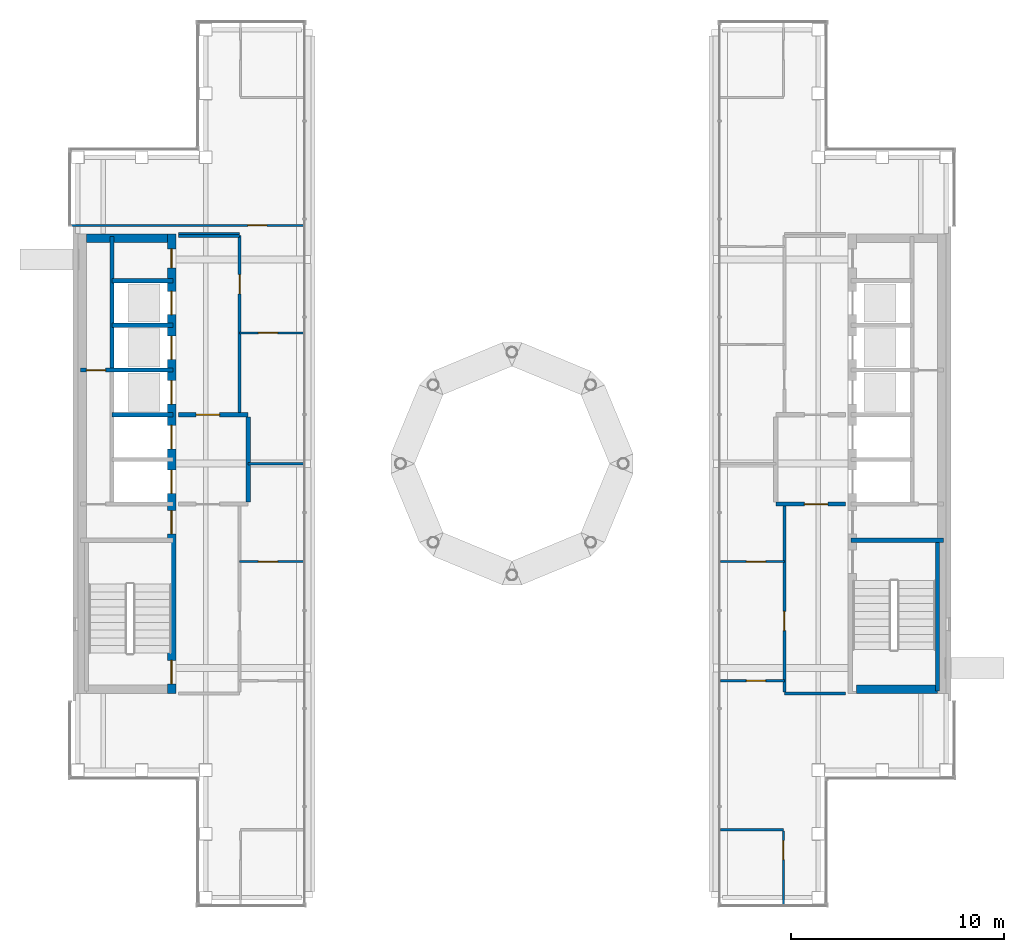
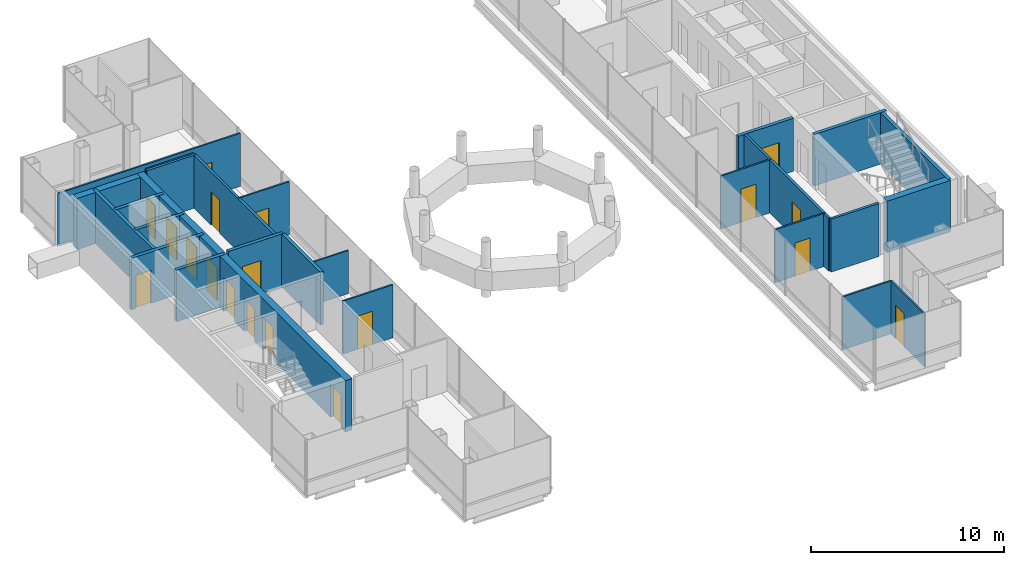
# One storey, part 17 of 21: 26 walls, 19 doors, 19 openings.
"""IFC4 building model written with IfcOpenShell, lengths in metres."""

from ifc_helpers import new_model, si_unit, direction, frame, frame_2d, origin, place, context, subcontext, project, spatial, rectangle, extrude, material, layer, layer_set, type_object, element, fill, save


model = new_model("IFC4")

# Units and contexts
model_context = context("Model", 3, precision=1e-05, world=origin(), true_north=direction((0.0, 1.0)))
body_context = subcontext(model_context, "Body", "Model", "MODEL_VIEW")
ifc_project = project(units=[si_unit("LENGTHUNIT", "METRE"), si_unit("AREAUNIT", "SQUARE_METRE"), si_unit("VOLUMEUNIT", "CUBIC_METRE"), si_unit("PLANEANGLEUNIT", "RADIAN"), si_unit("MASSUNIT", "GRAM", prefix="KILO")], contexts=[model_context])

# Site, building, storey
site_placement = place(None, origin())
site = spatial("IfcSite", under=ifc_project, at=site_placement, CompositionType="ELEMENT")
building_placement = place(site_placement, origin())
building = spatial("IfcBuilding", under=site, at=building_placement, Name="Cobrizo Arcos Hotel Tower", CompositionType="ELEMENT")
storey_placement = place(building_placement, frame((0.0, 0.0, 279.5)))
storey = spatial("IfcBuildingStorey", under=building, at=storey_placement, Name="L74", CompositionType="ELEMENT", Elevation=279.5)

# Walls
ifc_material_1 = material(Name="Gypsum board partition")
ifc_layer_1 = layer(ifc_material_1, 0.14990234375)
ifc_layer_set_1 = layer_set([ifc_layer_1], Name="Corridor wall EI 60 150")
wall_type_1 = type_object("IfcWallType", Name="Corridor wall EI 60 150", PredefinedType="PARTITIONING", material=ifc_layer_set_1)
for number, where, z_axis, x_axis, name in (
    (1, (12.800048828125, -10.800048828125, 0.0), (0.0, 0.0, 1.0), (1.0, 0.0, 0.0), "Partition 004"),
    (2, (-15.679931640625, 10.699951171875, 0.0), (0.0, 0.0, 1.0), (1.0, 0.0, 0.0), "Partition 032"),
    (3, (-15.679931640625, 10.800048828125, 0.0), (0.0, 0.0, 1.0), (1.0, 0.0, 0.0), "Partition 034"),
):
    element("IfcWall", number, at=place(storey_placement, frame(where, z_axis=z_axis, x_axis=x_axis)), inside=storey, type_object=wall_type_1, Name=name, PredefinedType="PARTITIONING", context=body_context, shape_type="SweptSolid", body=[
        extrude(rectangle(XDim=2.8798828125, YDim=0.14990234375, at=frame_2d((1.43994140625, 0.0))), origin(), (0.0, 0.0, 1.0), 3.35009765625),
    ])

# Wall, opening, door
wall_1_placement = place(storey_placement, frame((-12.800048828125, 2.39990234375, 0.0), z_axis=(0.0, 0.0, 1.0), x_axis=(0.0, 1.0, 0.0)))
wall_1 = element("IfcWall", 4, at=wall_1_placement, inside=storey, type_object=wall_type_1, Name="Partition 043", PredefinedType="PARTITIONING", context=body_context, shape_type="SweptSolid", body=[
    extrude(rectangle(XDim=8.3251953125, YDim=0.14990234375, at=frame_2d((4.16259765625, 0.0))), origin(), (0.0, 0.0, 1.0), 3.35009765625),
])
opening_1_placement = place(wall_1_placement, frame((5.5849609375, 0.0, 0.0)))
opening_1 = element("IfcOpeningElement", 5, at=opening_1_placement, cuts=wall_1, Name="Opening RD-13", PredefinedType="OPENING", context=body_context, shape_type="SweptSolid", body=[
    extrude(rectangle(XDim=0.89990234375, YDim=2.10009765625, at=frame_2d((0.449951171875, 1.050048828125))), frame((0.0, 0.0869140625, 0.0), z_axis=(0.0, -1.0, 0.0), x_axis=(1.0, 0.0, 0.0)), (0.0, 0.0, 1.0), 0.173828125),
])
ifc_material_2 = material(Name="Timber door leaf", Category="wood")
door_type_1 = type_object("IfcDoorType", Name="Room door FD30 900x2100", OperationType="SINGLE_SWING_LEFT", PredefinedType="DOOR", material=ifc_material_2)
door_1_placement = place(opening_1_placement, origin())
door_1 = element("IfcDoor", 6, at=door_1_placement, inside=storey, type_object=door_type_1, Name="Door RD-13", OperationType="SINGLE_SWING_LEFT", OverallHeight=2.10009765625, OverallWidth=0.89990234375, PredefinedType="DOOR", context=body_context, shape_type="SweptSolid", body=[
    extrude(rectangle(XDim=0.89990234375, YDim=2.10009765625, at=frame_2d((0.449951171875, 1.050048828125))), frame((0.0, 0.02490234375, 0.0), z_axis=(0.0, -1.0, 0.0), x_axis=(1.0, 0.0, 0.0)), (0.0, 0.0, 1.0), 0.050048828125),
])
fill(opening_1, door_1)

wall_2_placement = place(storey_placement, frame((12.800048828125, -10.72509765625, 0.0), z_axis=(0.0, 0.0, 1.0), x_axis=(0.0, 1.0, 0.0)))
wall_2 = element("IfcWall", 7, at=wall_2_placement, inside=storey, type_object=wall_type_1, Name="Partition 050", PredefinedType="PARTITIONING", context=body_context, shape_type="SweptSolid", body=[
    extrude(rectangle(XDim=8.72509765625, YDim=0.14990234375, at=frame_2d((4.362548828125, 0.0))), origin(), (0.0, 0.0, 1.0), 3.35009765625),
])
opening_2_placement = place(wall_2_placement, frame((2.8798828125, 0.0, 0.0)))
opening_2 = element("IfcOpeningElement", 8, at=opening_2_placement, cuts=wall_2, Name="Opening RD-10", PredefinedType="OPENING", context=body_context, shape_type="SweptSolid", body=[
    extrude(rectangle(XDim=0.89990234375, YDim=2.10009765625, at=frame_2d((0.449951171875, 1.050048828125))), frame((0.0, 0.0869140625, 0.0), z_axis=(0.0, -1.0, 0.0), x_axis=(1.0, 0.0, 0.0)), (0.0, 0.0, 1.0), 0.173828125),
])
door_2_placement = place(opening_2_placement, origin())
door_2 = element("IfcDoor", 9, at=door_2_placement, inside=storey, type_object=door_type_1, Name="Door RD-10", OperationType="SINGLE_SWING_RIGHT", OverallHeight=2.10009765625, OverallWidth=0.89990234375, PredefinedType="DOOR", context=body_context, shape_type="SweptSolid", body=[
    extrude(rectangle(XDim=0.89990234375, YDim=2.10009765625, at=frame_2d((0.449951171875, 1.050048828125))), frame((0.0, 0.02490234375, 0.0), z_axis=(0.0, -1.0, 0.0), x_axis=(1.0, 0.0, 0.0)), (0.0, 0.0, 1.0), 0.050048828125),
])
fill(opening_2, door_2)

# Wall
ifc_layer_2 = layer(ifc_material_1, 0.10009765625)
ifc_layer_set_2 = layer_set([ifc_layer_2], Name="Partition EI 30 100")
wall_type_2 = type_object("IfcWallType", Name="Partition EI 30 100", PredefinedType="PARTITIONING", material=ifc_layer_set_2)
wall_3_placement = place(storey_placement, frame((9.798095703125, -17.199951171875, 0.0), z_axis=(0.0, 0.0, 1.0), x_axis=(1.0, 0.0, 0.0)))
element("IfcWall", 10, at=wall_3_placement, inside=storey, type_object=wall_type_2, Name="Partition 002", PredefinedType="PARTITIONING", context=body_context, shape_type="SweptSolid", body=[
    extrude(rectangle(XDim=2.951904296875, YDim=0.10009765625, at=frame_2d((1.47607421875, 0.0))), origin(), (0.0, 0.0, 1.0), 3.35009765625),
])

# Wall, opening, door
wall_4_placement = place(storey_placement, frame((9.798095703125, -10.199951171875, 0.0), z_axis=(0.0, 0.0, 1.0), x_axis=(1.0, 0.0, 0.0)))
wall_4 = element("IfcWall", 11, at=wall_4_placement, inside=storey, type_object=wall_type_2, Name="Partition 006", PredefinedType="PARTITIONING", context=body_context, shape_type="SweptSolid", body=[
    extrude(rectangle(XDim=3.001953125, YDim=0.10009765625, at=frame_2d((1.5009765625, 0.0))), origin(), (0.0, 0.0, 1.0), 3.35009765625),
])
opening_3_placement = place(wall_4_placement, frame((1.216064453125, 0.0, 0.0)))
opening_3 = element("IfcOpeningElement", 12, at=opening_3_placement, cuts=wall_4, Name="Opening RD-12", PredefinedType="OPENING", context=body_context, shape_type="SweptSolid", body=[
    extrude(rectangle(XDim=0.89990234375, YDim=2.10009765625, at=frame_2d((0.449951171875, 1.050048828125))), frame((0.0, 0.06201171875, 0.0), z_axis=(0.0, -1.0, 0.0), x_axis=(1.0, 0.0, 0.0)), (0.0, 0.0, 1.0), 0.1240234375),
])
door_3_placement = place(opening_3_placement, origin())
door_3 = element("IfcDoor", 13, at=door_3_placement, inside=storey, type_object=door_type_1, Name="Door RD-12", OperationType="SINGLE_SWING_LEFT", OverallHeight=2.10009765625, OverallWidth=0.89990234375, PredefinedType="DOOR", context=body_context, shape_type="SweptSolid", body=[
    extrude(rectangle(XDim=0.89990234375, YDim=2.10009765625, at=frame_2d((0.449951171875, 1.050048828125))), frame((0.0, 0.02490234375, 0.0), z_axis=(0.0, -1.0, 0.0), x_axis=(1.0, 0.0, 0.0)), (0.0, 0.0, 1.0), 0.050048828125),
])
fill(opening_3, door_3)

wall_5_placement = place(storey_placement, frame((-12.800048828125, -4.60009765625, 0.0), z_axis=(0.0, 0.0, 1.0), x_axis=(1.0, 0.0, 0.0)))
wall_5 = element("IfcWall", 14, at=wall_5_placement, inside=storey, type_object=wall_type_2, Name="Partition 007", PredefinedType="PARTITIONING", context=body_context, shape_type="SweptSolid", body=[
    extrude(rectangle(XDim=3.001953125, YDim=0.10009765625, at=frame_2d((1.5009765625, 0.0))), origin(), (0.0, 0.0, 1.0), 3.35009765625),
])
opening_4_placement = place(wall_5_placement, frame((0.885986328125, 0.0, 0.0)))
opening_4 = element("IfcOpeningElement", 15, at=opening_4_placement, cuts=wall_5, Name="Opening RD-17", PredefinedType="OPENING", context=body_context, shape_type="SweptSolid", body=[
    extrude(rectangle(XDim=0.89990234375, YDim=2.10009765625, at=frame_2d((0.449951171875, 1.050048828125))), frame((0.0, 0.06201171875, 0.0), z_axis=(0.0, -1.0, 0.0), x_axis=(1.0, 0.0, 0.0)), (0.0, 0.0, 1.0), 0.1240234375),
])
door_4_placement = place(opening_4_placement, origin())
door_4 = element("IfcDoor", 16, at=door_4_placement, inside=storey, type_object=door_type_1, Name="Door RD-17", OperationType="SINGLE_SWING_RIGHT", OverallHeight=2.10009765625, OverallWidth=0.89990234375, PredefinedType="DOOR", context=body_context, shape_type="SweptSolid", body=[
    extrude(rectangle(XDim=0.89990234375, YDim=2.10009765625, at=frame_2d((0.449951171875, 1.050048828125))), frame((0.0, 0.02490234375, 0.0), z_axis=(0.0, -1.0, 0.0), x_axis=(1.0, 0.0, 0.0)), (0.0, 0.0, 1.0), 0.050048828125),
])
fill(opening_4, door_4)

wall_6_placement = place(storey_placement, frame((9.798095703125, -4.60009765625, 0.0), z_axis=(0.0, 0.0, 1.0), x_axis=(1.0, 0.0, 0.0)))
wall_6 = element("IfcWall", 17, at=wall_6_placement, inside=storey, type_object=wall_type_2, Name="Partition 008", PredefinedType="PARTITIONING", context=body_context, shape_type="SweptSolid", body=[
    extrude(rectangle(XDim=3.001953125, YDim=0.10009765625, at=frame_2d((1.5009765625, 0.0))), origin(), (0.0, 0.0, 1.0), 3.35009765625),
])
opening_5_placement = place(wall_6_placement, frame((1.216064453125, 0.0, 0.0)))
opening_5 = element("IfcOpeningElement", 18, at=opening_5_placement, cuts=wall_6, Name="Opening RD-11", PredefinedType="OPENING", context=body_context, shape_type="SweptSolid", body=[
    extrude(rectangle(XDim=0.89990234375, YDim=2.10009765625, at=frame_2d((0.449951171875, 1.050048828125))), frame((0.0, 0.06201171875, 0.0), z_axis=(0.0, -1.0, 0.0), x_axis=(1.0, 0.0, 0.0)), (0.0, 0.0, 1.0), 0.1240234375),
])
door_5_placement = place(opening_5_placement, origin())
door_5 = element("IfcDoor", 19, at=door_5_placement, inside=storey, type_object=door_type_1, Name="Door RD-11", OperationType="SINGLE_SWING_LEFT", OverallHeight=2.10009765625, OverallWidth=0.89990234375, PredefinedType="DOOR", context=body_context, shape_type="SweptSolid", body=[
    extrude(rectangle(XDim=0.89990234375, YDim=2.10009765625, at=frame_2d((0.449951171875, 1.050048828125))), frame((0.0, 0.02490234375, 0.0), z_axis=(0.0, -1.0, 0.0), x_axis=(1.0, 0.0, 0.0)), (0.0, 0.0, 1.0), 0.050048828125),
])
fill(opening_5, door_5)

# Wall
wall_7_placement = place(storey_placement, frame((-12.39990234375, 0.0, 0.0), z_axis=(0.0, 0.0, 1.0), x_axis=(1.0, 0.0, 0.0)))
element("IfcWall", 20, at=wall_7_placement, inside=storey, type_object=wall_type_2, Name="Partition 015", PredefinedType="PARTITIONING", context=body_context, shape_type="SweptSolid", body=[
    extrude(rectangle(XDim=2.601806640625, YDim=0.10009765625, at=frame_2d((1.30078125, 0.0))), origin(), (0.0, 0.0, 1.0), 2.72802734375),
])

# Wall, opening, door
wall_8_placement = place(storey_placement, frame((-12.800048828125, 6.14990234375, 0.0), z_axis=(0.0, 0.0, 1.0), x_axis=(1.0, 0.0, 0.0)))
wall_8 = element("IfcWall", 21, at=wall_8_placement, inside=storey, type_object=wall_type_2, Name="Partition 026", PredefinedType="PARTITIONING", context=body_context, shape_type="SweptSolid", body=[
    extrude(rectangle(XDim=3.001953125, YDim=0.10009765625, at=frame_2d((1.5009765625, 0.0))), origin(), (0.0, 0.0, 1.0), 3.35009765625),
])
opening_6_placement = place(wall_8_placement, frame((0.885986328125, 0.0, 0.0)))
opening_6 = element("IfcOpeningElement", 22, at=opening_6_placement, cuts=wall_8, Name="Opening RD-14", PredefinedType="OPENING", context=body_context, shape_type="SweptSolid", body=[
    extrude(rectangle(XDim=0.89990234375, YDim=2.10009765625, at=frame_2d((0.449951171875, 1.050048828125))), frame((0.0, 0.06201171875, 0.0), z_axis=(0.0, -1.0, 0.0), x_axis=(1.0, 0.0, 0.0)), (0.0, 0.0, 1.0), 0.1240234375),
])
door_6_placement = place(opening_6_placement, origin())
door_6 = element("IfcDoor", 23, at=door_6_placement, inside=storey, type_object=door_type_1, Name="Door RD-14", OperationType="SINGLE_SWING_RIGHT", OverallHeight=2.10009765625, OverallWidth=0.89990234375, PredefinedType="DOOR", context=body_context, shape_type="SweptSolid", body=[
    extrude(rectangle(XDim=0.89990234375, YDim=2.10009765625, at=frame_2d((0.449951171875, 1.050048828125))), frame((0.0, 0.02490234375, 0.0), z_axis=(0.0, -1.0, 0.0), x_axis=(1.0, 0.0, 0.0)), (0.0, 0.0, 1.0), 0.050048828125),
])
fill(opening_6, door_6)

wall_9_placement = place(storey_placement, frame((-20.72998046875, 11.199951171875, 0.0), z_axis=(0.0, 0.0, 1.0), x_axis=(1.0, 0.0, 0.0)))
wall_9 = element("IfcWall", 24, at=wall_9_placement, inside=storey, type_object=wall_type_2, Name="Partition 036", PredefinedType="PARTITIONING", context=body_context, shape_type="SweptSolid", body=[
    extrude(rectangle(XDim=10.931884765625, YDim=0.10009765625, at=frame_2d((5.4658203125, 0.0))), origin(), (0.0, 0.0, 1.0), 3.35009765625),
])
opening_7_placement = place(wall_9_placement, frame((8.31591796875, 0.0, 0.0)))
opening_7 = element("IfcOpeningElement", 25, at=opening_7_placement, cuts=wall_9, Name="Opening RD-15", PredefinedType="OPENING", context=body_context, shape_type="SweptSolid", body=[
    extrude(rectangle(XDim=0.89990234375, YDim=2.10009765625, at=frame_2d((0.449951171875, 1.050048828125))), frame((0.0, 0.06201171875, 0.0), z_axis=(0.0, -1.0, 0.0), x_axis=(1.0, 0.0, 0.0)), (0.0, 0.0, 1.0), 0.1240234375),
])
door_7_placement = place(opening_7_placement, origin())
door_7 = element("IfcDoor", 26, at=door_7_placement, inside=storey, type_object=door_type_1, Name="Door RD-15", OperationType="SINGLE_SWING_RIGHT", OverallHeight=2.10009765625, OverallWidth=0.89990234375, PredefinedType="DOOR", context=body_context, shape_type="SweptSolid", body=[
    extrude(rectangle(XDim=0.89990234375, YDim=2.10009765625, at=frame_2d((0.449951171875, 1.050048828125))), frame((0.0, 0.02490234375, 0.0), z_axis=(0.0, -1.0, 0.0), x_axis=(1.0, 0.0, 0.0)), (0.0, 0.0, 1.0), 0.050048828125),
])
fill(opening_7, door_7)

wall_10_placement = place(storey_placement, frame((12.75, -20.72998046875, 0.0), z_axis=(0.0, 0.0, 1.0), x_axis=(0.0, 1.0, 0.0)))
wall_10 = element("IfcWall", 27, at=wall_10_placement, inside=storey, type_object=wall_type_2, Name="Partition 048", PredefinedType="PARTITIONING", context=body_context, shape_type="SweptSolid", body=[
    extrude(rectangle(XDim=3.47998046875, YDim=0.10009765625, at=frame_2d((1.739990234375, 0.0))), origin(), (0.0, 0.0, 1.0), 3.35009765625),
])
opening_8_placement = place(wall_10_placement, frame((2.1201171875, 0.0, 0.0)))
opening_8 = element("IfcOpeningElement", 28, at=opening_8_placement, cuts=wall_10, Name="Opening ED-02", PredefinedType="OPENING", context=body_context, shape_type="SweptSolid", body=[
    extrude(rectangle(XDim=0.89990234375, YDim=2.10009765625, at=frame_2d((0.449951171875, 1.050048828125))), frame((0.0, 0.06201171875, 0.0), z_axis=(0.0, -1.0, 0.0), x_axis=(1.0, 0.0, 0.0)), (0.0, 0.0, 1.0), 0.1240234375),
])
door_type_2 = type_object("IfcDoorType", Name="En-suite door 900x2100", OperationType="SINGLE_SWING_LEFT", PredefinedType="DOOR", material=ifc_material_2)
door_8_placement = place(opening_8_placement, origin())
door_8 = element("IfcDoor", 29, at=door_8_placement, inside=storey, type_object=door_type_2, Name="Door ED-02", OperationType="SINGLE_SWING_RIGHT", OverallHeight=2.10009765625, OverallWidth=0.89990234375, PredefinedType="DOOR", context=body_context, shape_type="SweptSolid", body=[
    extrude(rectangle(XDim=0.89990234375, YDim=2.10009765625, at=frame_2d((0.449951171875, 1.050048828125))), frame((0.0, 0.02490234375, 0.0), z_axis=(0.0, -1.0, 0.0), x_axis=(1.0, 0.0, 0.0)), (0.0, 0.0, 1.0), 0.050048828125),
])
fill(opening_8, door_8)

# Wall
ifc_material_3 = material(Name="Concrete f'c 40 MPa", Category="concrete")
ifc_layer_3 = layer(ifc_material_3, 0.39990234375)
ifc_layer_set_3 = layer_set([ifc_layer_3], Name="RC core wall 400 f'c 40")
wall_type_3 = type_object("IfcWallType", Name="RC core wall 400 f'c 40", PredefinedType="SHEAR", material=ifc_layer_set_3)
wall_11_placement = place(storey_placement, frame((16.199951171875, -10.60009765625, 0.0), z_axis=(0.0, 0.0, 1.0), x_axis=(1.0, 0.0, 0.0)))
element("IfcWall", 30, at=wall_11_placement, inside=storey, type_object=wall_type_3, Name="Core wall CW4, east core, south end, L74", PredefinedType="SHEAR", context=body_context, shape_type="SweptSolid", body=[
    extrude(rectangle(XDim=3.800048828125, YDim=0.39990234375, at=frame_2d((1.89990234375, 0.0))), origin(), (0.0, 0.0, 1.0), 3.25),
])

# Wall, openings, doors
wall_12_placement = place(storey_placement, frame((-16.0, -10.800048828125, 0.0), z_axis=(0.0, 0.0, 1.0), x_axis=(0.0, 1.0, 0.0)))
wall_12 = element("IfcWall", 31, at=wall_12_placement, inside=storey, type_object=wall_type_3, Name="Core wall CW4, west core, inner face, L74", PredefinedType="SHEAR", context=body_context, shape_type="SweptSolid", body=[
    extrude(rectangle(XDim=21.60009765625, YDim=0.39990234375, at=frame_2d((10.800048828125, 0.0))), origin(), (0.0, 0.0, 1.0), 3.25),
])
opening_9_placement = place(wall_12_placement, frame((9.39990234375, 0.0, 0.0)))
opening_9 = element("IfcOpeningElement", 32, at=opening_9_placement, cuts=wall_12, Name="Opening LD-01", PredefinedType="OPENING", context=body_context, shape_type="SweptSolid", body=[
    extrude(rectangle(XDim=1.10009765625, YDim=2.10009765625, at=frame_2d((0.550048828125, 1.050048828125))), frame((0.0, 0.2119140625, 0.0), z_axis=(0.0, -1.0, 0.0), x_axis=(1.0, 0.0, 0.0)), (0.0, 0.0, 1.0), 0.423828125),
])
opening_10_placement = place(wall_12_placement, frame((11.5, 0.0, 0.0)))
opening_10 = element("IfcOpeningElement", 33, at=opening_10_placement, cuts=wall_12, Name="Opening LD-02", PredefinedType="OPENING", context=body_context, shape_type="SweptSolid", body=[
    extrude(rectangle(XDim=1.10009765625, YDim=2.10009765625, at=frame_2d((0.550048828125, 1.050048828125))), frame((0.0, 0.2119140625, 0.0), z_axis=(0.0, -1.0, 0.0), x_axis=(1.0, 0.0, 0.0)), (0.0, 0.0, 1.0), 0.423828125),
])
opening_11_placement = place(wall_12_placement, frame((13.60009765625, 0.0, 0.0)))
opening_11 = element("IfcOpeningElement", 34, at=opening_11_placement, cuts=wall_12, Name="Opening LD-03", PredefinedType="OPENING", context=body_context, shape_type="SweptSolid", body=[
    extrude(rectangle(XDim=1.10009765625, YDim=2.10009765625, at=frame_2d((0.550048828125, 1.050048828125))), frame((0.0, 0.2119140625, 0.0), z_axis=(0.0, -1.0, 0.0), x_axis=(1.0, 0.0, 0.0)), (0.0, 0.0, 1.0), 0.423828125),
])
opening_12_placement = place(wall_12_placement, frame((15.699951171875, 0.0, 0.0)))
opening_12 = element("IfcOpeningElement", 35, at=opening_12_placement, cuts=wall_12, Name="Opening LD-04", PredefinedType="OPENING", context=body_context, shape_type="SweptSolid", body=[
    extrude(rectangle(XDim=1.10009765625, YDim=2.10009765625, at=frame_2d((0.550048828125, 1.050048828125))), frame((0.0, 0.2119140625, 0.0), z_axis=(0.0, -1.0, 0.0), x_axis=(1.0, 0.0, 0.0)), (0.0, 0.0, 1.0), 0.423828125),
])
opening_13_placement = place(wall_12_placement, frame((17.800048828125, 0.0, 0.0)))
opening_13 = element("IfcOpeningElement", 36, at=opening_13_placement, cuts=wall_12, Name="Opening LD-05", PredefinedType="OPENING", context=body_context, shape_type="SweptSolid", body=[
    extrude(rectangle(XDim=1.10009765625, YDim=2.10009765625, at=frame_2d((0.550048828125, 1.050048828125))), frame((0.0, 0.2119140625, 0.0), z_axis=(0.0, -1.0, 0.0), x_axis=(1.0, 0.0, 0.0)), (0.0, 0.0, 1.0), 0.423828125),
])
opening_14_placement = place(wall_12_placement, frame((0.4580078125, 0.0, 0.0)))
opening_14 = element("IfcOpeningElement", 37, at=opening_14_placement, cuts=wall_12, Name="Opening SD-01", PredefinedType="OPENING", context=body_context, shape_type="SweptSolid", body=[
    extrude(rectangle(XDim=1.10009765625, YDim=2.10009765625, at=frame_2d((0.550048828125, 1.050048828125))), frame((0.0, 0.2119140625, 0.0), z_axis=(0.0, -1.0, 0.0), x_axis=(1.0, 0.0, 0.0)), (0.0, 0.0, 1.0), 0.423828125),
])
opening_15_placement = place(wall_12_placement, frame((7.5, 0.0, 0.0)))
opening_15 = element("IfcOpeningElement", 38, at=opening_15_placement, cuts=wall_12, Name="Opening FD-01", PredefinedType="OPENING", context=body_context, shape_type="SweptSolid", body=[
    extrude(rectangle(XDim=1.10009765625, YDim=2.10009765625, at=frame_2d((0.550048828125, 1.050048828125))), frame((0.0, 0.2119140625, 0.0), z_axis=(0.0, -1.0, 0.0), x_axis=(1.0, 0.0, 0.0)), (0.0, 0.0, 1.0), 0.423828125),
])
opening_16_placement = place(wall_12_placement, frame((20.0, 0.0, 0.0)))
opening_16 = element("IfcOpeningElement", 39, at=opening_16_placement, cuts=wall_12, Name="Opening RD-01", PredefinedType="OPENING", context=body_context, shape_type="SweptSolid", body=[
    extrude(rectangle(XDim=0.89990234375, YDim=2.10009765625, at=frame_2d((0.449951171875, 1.050048828125))), frame((0.0, 0.2119140625, 0.0), z_axis=(0.0, -1.0, 0.0), x_axis=(1.0, 0.0, 0.0)), (0.0, 0.0, 1.0), 0.423828125),
])
ifc_material_4 = material(Name="Steel door leaf", Category="steel")
door_type_3 = type_object("IfcDoorType", Name="Fire door FD60 1100x2100", OperationType="SINGLE_SWING_LEFT", PredefinedType="DOOR", material=ifc_material_4)
door_9_placement = place(opening_15_placement, origin())
door_9 = element("IfcDoor", 40, at=door_9_placement, inside=storey, type_object=door_type_3, Name="Door FD-01", OperationType="SINGLE_SWING_LEFT", OverallHeight=2.10009765625, OverallWidth=1.10009765625, PredefinedType="DOOR", context=body_context, shape_type="SweptSolid", body=[
    extrude(rectangle(XDim=1.10009765625, YDim=2.10009765625, at=frame_2d((0.550048828125, 1.050048828125))), frame((0.0, 0.02490234375, 0.0), z_axis=(0.0, -1.0, 0.0), x_axis=(1.0, 0.0, 0.0)), (0.0, 0.0, 1.0), 0.050048828125),
])
fill(opening_15, door_9)
door_type_4 = type_object("IfcDoorType", Name="Lift landing door 1100x2100", OperationType="SLIDING_TO_LEFT", PredefinedType="DOOR", material=ifc_material_4)
door_10_placement = place(opening_9_placement, origin())
door_10 = element("IfcDoor", 41, at=door_10_placement, inside=storey, type_object=door_type_4, Name="Lift landing door LD-01", OperationType="SLIDING_TO_LEFT", OverallHeight=2.10009765625, OverallWidth=1.10009765625, PredefinedType="DOOR", context=body_context, shape_type="SweptSolid", body=[
    extrude(rectangle(XDim=1.10009765625, YDim=2.10009765625, at=frame_2d((0.550048828125, 1.050048828125))), frame((0.0, 0.02490234375, 0.0), z_axis=(0.0, -1.0, 0.0), x_axis=(1.0, 0.0, 0.0)), (0.0, 0.0, 1.0), 0.050048828125),
])
fill(opening_9, door_10)
door_11_placement = place(opening_10_placement, origin())
door_11 = element("IfcDoor", 42, at=door_11_placement, inside=storey, type_object=door_type_4, Name="Lift landing door LD-02", OperationType="SLIDING_TO_LEFT", OverallHeight=2.10009765625, OverallWidth=1.10009765625, PredefinedType="DOOR", context=body_context, shape_type="SweptSolid", body=[
    extrude(rectangle(XDim=1.10009765625, YDim=2.10009765625, at=frame_2d((0.550048828125, 1.050048828125))), frame((0.0, 0.02490234375, 0.0), z_axis=(0.0, -1.0, 0.0), x_axis=(1.0, 0.0, 0.0)), (0.0, 0.0, 1.0), 0.050048828125),
])
fill(opening_10, door_11)
door_12_placement = place(opening_11_placement, origin())
door_12 = element("IfcDoor", 43, at=door_12_placement, inside=storey, type_object=door_type_4, Name="Lift landing door LD-03", OperationType="SLIDING_TO_LEFT", OverallHeight=2.10009765625, OverallWidth=1.10009765625, PredefinedType="DOOR", context=body_context, shape_type="SweptSolid", body=[
    extrude(rectangle(XDim=1.10009765625, YDim=2.10009765625, at=frame_2d((0.550048828125, 1.050048828125))), frame((0.0, 0.02490234375, 0.0), z_axis=(0.0, -1.0, 0.0), x_axis=(1.0, 0.0, 0.0)), (0.0, 0.0, 1.0), 0.050048828125),
])
fill(opening_11, door_12)
door_13_placement = place(opening_12_placement, origin())
door_13 = element("IfcDoor", 44, at=door_13_placement, inside=storey, type_object=door_type_4, Name="Lift landing door LD-04", OperationType="SLIDING_TO_LEFT", OverallHeight=2.10009765625, OverallWidth=1.10009765625, PredefinedType="DOOR", context=body_context, shape_type="SweptSolid", body=[
    extrude(rectangle(XDim=1.10009765625, YDim=2.10009765625, at=frame_2d((0.550048828125, 1.050048828125))), frame((0.0, 0.02490234375, 0.0), z_axis=(0.0, -1.0, 0.0), x_axis=(1.0, 0.0, 0.0)), (0.0, 0.0, 1.0), 0.050048828125),
])
fill(opening_12, door_13)
door_14_placement = place(opening_13_placement, origin())
door_14 = element("IfcDoor", 45, at=door_14_placement, inside=storey, type_object=door_type_4, Name="Lift landing door LD-05", OperationType="SLIDING_TO_LEFT", OverallHeight=2.10009765625, OverallWidth=1.10009765625, PredefinedType="DOOR", context=body_context, shape_type="SweptSolid", body=[
    extrude(rectangle(XDim=1.10009765625, YDim=2.10009765625, at=frame_2d((0.550048828125, 1.050048828125))), frame((0.0, 0.02490234375, 0.0), z_axis=(0.0, -1.0, 0.0), x_axis=(1.0, 0.0, 0.0)), (0.0, 0.0, 1.0), 0.050048828125),
])
fill(opening_13, door_14)
door_15_placement = place(opening_16_placement, origin())
door_15 = element("IfcDoor", 46, at=door_15_placement, inside=storey, type_object=door_type_1, Name="Door RD-01", OperationType="SINGLE_SWING_LEFT", OverallHeight=2.10009765625, OverallWidth=0.89990234375, PredefinedType="DOOR", context=body_context, shape_type="SweptSolid", body=[
    extrude(rectangle(XDim=0.89990234375, YDim=2.10009765625, at=frame_2d((0.449951171875, 1.050048828125))), frame((0.0, 0.02490234375, 0.0), z_axis=(0.0, -1.0, 0.0), x_axis=(1.0, 0.0, 0.0)), (0.0, 0.0, 1.0), 0.050048828125),
])
fill(opening_16, door_15)
door_type_5 = type_object("IfcDoorType", Name="Stair door FD60S 1100x2100", OperationType="SINGLE_SWING_LEFT", PredefinedType="DOOR", material=ifc_material_4)
door_16_placement = place(opening_14_placement, origin())
door_16 = element("IfcDoor", 47, at=door_16_placement, inside=storey, type_object=door_type_5, Name="Door SD-01", OperationType="SINGLE_SWING_LEFT", OverallHeight=2.10009765625, OverallWidth=1.10009765625, PredefinedType="DOOR", context=body_context, shape_type="SweptSolid", body=[
    extrude(rectangle(XDim=1.10009765625, YDim=2.10009765625, at=frame_2d((0.550048828125, 1.050048828125))), frame((0.0, 0.02490234375, 0.0), z_axis=(0.0, -1.0, 0.0), x_axis=(1.0, 0.0, 0.0)), (0.0, 0.0, 1.0), 0.050048828125),
])
fill(opening_14, door_16)

# Wall
wall_13_placement = place(storey_placement, frame((-20.0, 10.60009765625, 0.0), z_axis=(0.0, 0.0, 1.0), x_axis=(1.0, 0.0, 0.0)))
element("IfcWall", 48, at=wall_13_placement, inside=storey, type_object=wall_type_3, Name="Core wall CW4, west core, north end, L74", PredefinedType="SHEAR", context=body_context, shape_type="SweptSolid", body=[
    extrude(rectangle(XDim=3.800048828125, YDim=0.39990234375, at=frame_2d((1.89990234375, 0.0))), origin(), (0.0, 0.0, 1.0), 3.25),
])

# Wall, opening, door
ifc_layer_4 = layer(ifc_material_1, 0.199951171875)
ifc_layer_set_4 = layer_set([ifc_layer_4], Name="Shaft wall EI 120 200")
wall_type_4 = type_object("IfcWallType", Name="Shaft wall EI 120 200", PredefinedType="PARTITIONING", material=ifc_layer_set_4)
wall_14_placement = place(storey_placement, frame((12.39990234375, -1.89990234375, 0.0), z_axis=(0.0, 0.0, 1.0), x_axis=(1.0, 0.0, 0.0)))
wall_14 = element("IfcWall", 49, at=wall_14_placement, inside=storey, type_object=wall_type_4, Name="Partition 013", PredefinedType="PARTITIONING", context=body_context, shape_type="SweptSolid", body=[
    extrude(rectangle(XDim=3.280029296875, YDim=0.199951171875, at=frame_2d((1.64013671875, 0.0))), origin(), (0.0, 0.0, 1.0), 3.35009765625),
])
opening_17_placement = place(wall_14_placement, frame((1.340087890625, 0.0, 0.0)))
opening_17 = element("IfcOpeningElement", 50, at=opening_17_placement, cuts=wall_14, Name="Opening FD-06", PredefinedType="OPENING", context=body_context, shape_type="SweptSolid", body=[
    extrude(rectangle(XDim=1.10009765625, YDim=2.10009765625, at=frame_2d((0.550048828125, 1.050048828125))), frame((0.0, 0.112060546875, 0.0), z_axis=(0.0, -1.0, 0.0), x_axis=(1.0, 0.0, 0.0)), (0.0, 0.0, 1.0), 0.223876953125),
])
door_17_placement = place(opening_17_placement, origin())
door_17 = element("IfcDoor", 51, at=door_17_placement, inside=storey, type_object=door_type_3, Name="Door FD-06", OperationType="SINGLE_SWING_LEFT", OverallHeight=2.10009765625, OverallWidth=1.10009765625, PredefinedType="DOOR", context=body_context, shape_type="SweptSolid", body=[
    extrude(rectangle(XDim=1.10009765625, YDim=2.10009765625, at=frame_2d((0.550048828125, 1.050048828125))), frame((0.0, 0.02490234375, 0.0), z_axis=(0.0, -1.0, 0.0), x_axis=(1.0, 0.0, 0.0)), (0.0, 0.0, 1.0), 0.050048828125),
])
fill(opening_17, door_17)

# Wall
wall_15_placement = place(storey_placement, frame((-18.800048828125, 2.300048828125, 0.0), z_axis=(0.0, 0.0, 1.0), x_axis=(1.0, 0.0, 0.0)))
element("IfcWall", 52, at=wall_15_placement, inside=storey, type_object=wall_type_4, Name="Partition 019", PredefinedType="PARTITIONING", context=body_context, shape_type="SweptSolid", body=[
    extrude(rectangle(XDim=2.880126953125, YDim=0.199951171875, at=frame_2d((1.43994140625, 0.0))), origin(), (0.0, 0.0, 1.0), 3.25),
])

# Wall, opening, door
wall_16_placement = place(storey_placement, frame((-15.679931640625, 2.300048828125, 0.0), z_axis=(0.0, 0.0, 1.0), x_axis=(1.0, 0.0, 0.0)))
wall_16 = element("IfcWall", 53, at=wall_16_placement, inside=storey, type_object=wall_type_4, Name="Partition 020", PredefinedType="PARTITIONING", context=body_context, shape_type="SweptSolid", body=[
    extrude(rectangle(XDim=3.280029296875, YDim=0.199951171875, at=frame_2d((1.64013671875, 0.0))), origin(), (0.0, 0.0, 1.0), 3.35009765625),
])
opening_18_placement = place(wall_16_placement, frame((0.840087890625, 0.0, 0.0)))
opening_18 = element("IfcOpeningElement", 54, at=opening_18_placement, cuts=wall_16, Name="Opening FD-02", PredefinedType="OPENING", context=body_context, shape_type="SweptSolid", body=[
    extrude(rectangle(XDim=1.10009765625, YDim=2.10009765625, at=frame_2d((0.550048828125, 1.050048828125))), frame((0.0, 0.112060546875, 0.0), z_axis=(0.0, -1.0, 0.0), x_axis=(1.0, 0.0, 0.0)), (0.0, 0.0, 1.0), 0.223876953125),
])
door_18_placement = place(opening_18_placement, origin())
door_18 = element("IfcDoor", 55, at=door_18_placement, inside=storey, type_object=door_type_3, Name="Door FD-02", OperationType="SINGLE_SWING_RIGHT", OverallHeight=2.10009765625, OverallWidth=1.10009765625, PredefinedType="DOOR", context=body_context, shape_type="SweptSolid", body=[
    extrude(rectangle(XDim=1.10009765625, YDim=2.10009765625, at=frame_2d((0.550048828125, 1.050048828125))), frame((0.0, 0.02490234375, 0.0), z_axis=(0.0, -1.0, 0.0), x_axis=(1.0, 0.0, 0.0)), (0.0, 0.0, 1.0), 0.050048828125),
])
fill(opening_18, door_18)

wall_17_placement = place(storey_placement, frame((-20.280029296875, 4.39990234375, 0.0), z_axis=(0.0, 0.0, 1.0), x_axis=(1.0, 0.0, 0.0)))
wall_17 = element("IfcWall", 56, at=wall_17_placement, inside=storey, type_object=wall_type_4, Name="Partition 023", PredefinedType="PARTITIONING", context=body_context, shape_type="SweptSolid", body=[
    extrude(rectangle(XDim=4.360107421875, YDim=0.199951171875, at=frame_2d((2.18017578125, 0.0))), origin(), (0.0, 0.0, 1.0), 3.25),
])
opening_19_placement = place(wall_17_placement, frame((0.280029296875, 0.0, 0.0)))
opening_19 = element("IfcOpeningElement", 57, at=opening_19_placement, cuts=wall_17, Name="Opening RD-03", PredefinedType="OPENING", context=body_context, shape_type="SweptSolid", body=[
    extrude(rectangle(XDim=0.89990234375, YDim=2.10009765625, at=frame_2d((0.449951171875, 1.050048828125))), frame((0.0, 0.112060546875, 0.0), z_axis=(0.0, -1.0, 0.0), x_axis=(1.0, 0.0, 0.0)), (0.0, 0.0, 1.0), 0.223876953125),
])
door_19_placement = place(opening_19_placement, origin())
door_19 = element("IfcDoor", 58, at=door_19_placement, inside=storey, type_object=door_type_1, Name="Door RD-03", OperationType="SINGLE_SWING_RIGHT", OverallHeight=2.10009765625, OverallWidth=0.89990234375, PredefinedType="DOOR", context=body_context, shape_type="SweptSolid", body=[
    extrude(rectangle(XDim=0.89990234375, YDim=2.10009765625, at=frame_2d((0.449951171875, 1.050048828125))), frame((0.0, 0.02490234375, 0.0), z_axis=(0.0, -1.0, 0.0), x_axis=(1.0, 0.0, 0.0)), (0.0, 0.0, 1.0), 0.050048828125),
])
fill(opening_19, door_19)

# Walls
for number, where, z_axis, x_axis, name in (
    (59, (-18.800048828125, 6.5, 0.0), (0.0, 0.0, 1.0), (1.0, 0.0, 0.0), "Partition 027"),
    (60, (-18.800048828125, 8.60009765625, 0.0), (0.0, 0.0, 1.0), (1.0, 0.0, 0.0), "Partition 029"),
):
    element("IfcWall", number, at=place(storey_placement, frame(where, z_axis=z_axis, x_axis=x_axis)), inside=storey, type_object=wall_type_4, Name=name, PredefinedType="PARTITIONING", context=body_context, shape_type="SweptSolid", body=[
        extrude(rectangle(XDim=2.880126953125, YDim=0.199951171875, at=frame_2d((1.43994140625, 0.0))), origin(), (0.0, 0.0, 1.0), 3.25),
    ])
wall_18_placement = place(storey_placement, frame((-18.800048828125, 4.5, 0.0), z_axis=(0.0, 0.0, 1.0), x_axis=(0.0, 1.0, 0.0)))
element("IfcWall", 61, at=wall_18_placement, inside=storey, type_object=wall_type_4, Name="Partition 041", PredefinedType="PARTITIONING", context=body_context, shape_type="SweptSolid", body=[
    extrude(rectangle(XDim=6.179931640625, YDim=0.199951171875, at=frame_2d((3.08984375, 0.0))), origin(), (0.0, 0.0, 1.0), 3.25),
])
wall_19_placement = place(storey_placement, frame((-12.39990234375, -1.800048828125, 0.0), z_axis=(0.0, 0.0, 1.0), x_axis=(0.0, 1.0, 0.0)))
element("IfcWall", 62, at=wall_19_placement, inside=storey, type_object=wall_type_4, Name="Partition 046", PredefinedType="PARTITIONING", context=body_context, shape_type="SweptSolid", body=[
    extrude(rectangle(XDim=4.0, YDim=0.199951171875, at=frame_2d((2.0, 0.0))), origin(), (0.0, 0.0, 1.0), 3.35009765625),
])
ifc_layer_5 = layer(ifc_material_3, 0.199951171875)
ifc_layer_set_5 = layer_set([ifc_layer_5], Name="Stair shaft wall 200")
wall_type_5 = type_object("IfcWallType", Name="Stair shaft wall 200", PredefinedType="SHEAR", material=ifc_layer_set_5)
wall_20_placement = place(storey_placement, frame((15.919921875, -3.60009765625, 0.0), z_axis=(0.0, 0.0, 1.0), x_axis=(1.0, 0.0, 0.0)))
element("IfcWall", 63, at=wall_20_placement, inside=storey, type_object=wall_type_5, Name="Stair shaft wall E", PredefinedType="SHEAR", context=body_context, shape_type="SweptSolid", body=[
    extrude(rectangle(XDim=4.360107421875, YDim=0.199951171875, at=frame_2d((2.18017578125, 0.0))), origin(), (0.0, 0.0, 1.0), 3.25),
])
wall_21_placement = place(storey_placement, frame((20.0, -10.679931640625, 0.0), z_axis=(0.0, 0.0, 1.0), x_axis=(0.0, 1.0, 0.0)))
element("IfcWall", 64, at=wall_21_placement, inside=storey, type_object=wall_type_5, Name="Stair shaft wall E", PredefinedType="SHEAR", context=body_context, shape_type="SweptSolid", body=[
    extrude(rectangle(XDim=6.97998046875, YDim=0.199951171875, at=frame_2d((3.489990234375, 0.0))), origin(), (0.0, 0.0, 1.0), 3.25),
])

save(model, "model.ifc")
